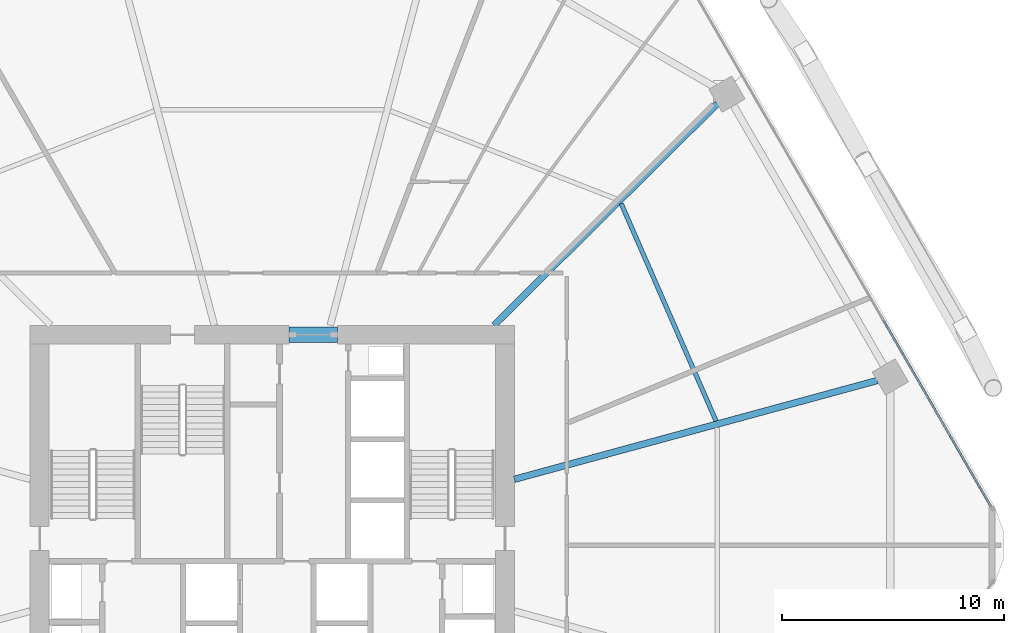
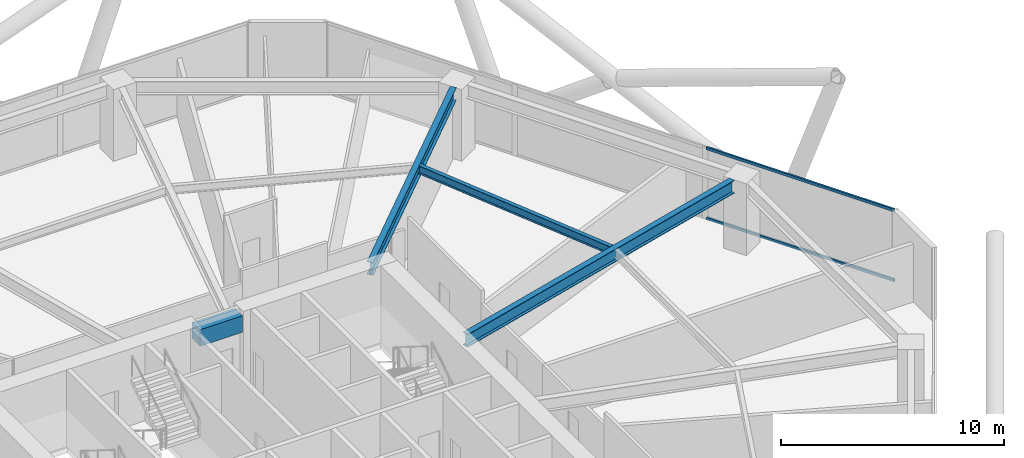
# One storey, part 18 of 28: 4 beams, 2 members, 1 element without a shape of its own.
"""IFC4 building model written with IfcOpenShell, lengths in metres."""

from ifc_helpers import new_model, si_unit, direction, frame, origin, origin_2d, place, context, subcontext, project, spatial, rectangle, hollow_rectangle, i_section, extrude, material, material_profile, profile_set, type_object, element, aggregate, save


model = new_model("IFC4")

# Units and contexts
model_context = context("Model", 3, precision=1e-05, world=origin(), true_north=direction((0.0, 1.0)))
body_context = subcontext(model_context, "Body", "Model", "MODEL_VIEW")
ifc_project = project(units=[si_unit("LENGTHUNIT", "METRE"), si_unit("AREAUNIT", "SQUARE_METRE"), si_unit("VOLUMEUNIT", "CUBIC_METRE"), si_unit("PLANEANGLEUNIT", "RADIAN"), si_unit("MASSUNIT", "GRAM", prefix="KILO")], contexts=[model_context])

# Site, building, storey
site_placement = place(None, origin())
site = spatial("IfcSite", under=ifc_project, at=site_placement, CompositionType="ELEMENT")
building_placement = place(site_placement, origin())
building = spatial("IfcBuilding", under=site, at=building_placement, Name="Zuhravey Tower", CompositionType="ELEMENT")
storey_placement = place(building_placement, frame((0.0, 0.0, 66.60009765625)))
storey = spatial("IfcBuildingStorey", under=building, at=storey_placement, Name="L16", CompositionType="ELEMENT", Elevation=66.60009765625)

# Beam
ifc_material_1 = material(Name="Concrete C60/75", Category="concrete")
ifc_material_profile_1 = material_profile(ifc_material_1, rectangle(XDim=0.699951171875, YDim=0.89990234375, at=origin_2d()), Name="RC-700x900")
ifc_profile_set_1 = profile_set([ifc_material_profile_1], Name="Concrete C60/75")
beam_type_1 = type_object("IfcBeamType", Name="Core Coupling Beam RC700x900", PredefinedType="LINTEL", material=ifc_profile_set_1)
beam_1_placement = place(storey_placement, frame((36.751953125, 41.5, 3.469970703125), z_axis=(1.0, 0.0, 0.0), x_axis=(0.0, 1.0, 0.0)))
element("IfcBeam", 1, at=beam_1_placement, inside=storey, type_object=beam_type_1, Name="L16 CB1 BM-L16-CB-N", PredefinedType="LINTEL", context=body_context, shape_type="SweptSolid", body=[
    extrude(rectangle(XDim=0.699951171875, YDim=0.89990234375, at=origin_2d()), origin(), (0.0, 0.0, 1.0), 2.196044921875),
])

# Curtain wall, members
ifc_material_2 = material(Name="Thermally broken anodised aluminium", Category="aluminium")
curtain_wall_type = type_object("IfcCurtainWallType", Name="School Low-E Unitised Curtain Wall CW1", PredefinedType="NOTDEFINED", material=ifc_material_2)
curtain_wall_placement = place(storey_placement, origin())
curtain_wall = element("IfcCurtainWall", 2, at=curtain_wall_placement, inside=storey, type_object=curtain_wall_type, Name="L16 CW1 CW-L16-F1-1", PredefinedType="NOTDEFINED")
ifc_material_3 = material(Name="Anodised aluminium", Category="aluminium")
ifc_material_profile_2 = material_profile(ifc_material_3, hollow_rectangle(XDim=0.090087890625, YDim=0.14990234375, WallThickness=0.0048828125, at=origin_2d()), Name="ALU-RHS-90x150x5")
ifc_profile_set_2 = profile_set([ifc_material_profile_2], Name="Anodised aluminium")
member_type = type_object("IfcMemberType", Name="Curtain-Wall Transom 90x150", PredefinedType="USERDEFINED", material=ifc_profile_set_2)
member_1_placement = place(storey_placement, frame((63.56787109375, 42.16796875, 0.044921875), z_axis=(0.500008393077, -0.866020557985, 0.0), x_axis=(0.866020557985, 0.500008393077, 0.0)))
member_1 = element("IfcMember", 3, at=member_1_placement, type_object=member_type, Name="CW1 transom 3.1", ObjectType="TRANSOM", PredefinedType="USERDEFINED", context=body_context, shape_type="SweptSolid", body=[
    extrude(hollow_rectangle(XDim=0.090087890625, YDim=0.14990234375, WallThickness=0.0048828125, at=origin_2d()), origin(), (0.0, 0.0, 1.0), 9.731201171875),
])
member_2_placement = place(storey_placement, frame((63.56787109375, 42.16796875, 3.875), z_axis=(0.500008393077, -0.866020557985, 0.0), x_axis=(0.866020557985, 0.500008393077, 0.0)))
member_2 = element("IfcMember", 4, at=member_2_placement, type_object=member_type, Name="CW1 transom 3.2", ObjectType="TRANSOM", PredefinedType="USERDEFINED", context=body_context, shape_type="SweptSolid", body=[
    extrude(hollow_rectangle(XDim=0.090087890625, YDim=0.14990234375, WallThickness=0.0048828125, at=origin_2d()), origin(), (0.0, 0.0, 1.0), 9.731201171875),
])
aggregate(curtain_wall, [member_1, member_2])

# Beams
ifc_material_4 = material(Name="Steel SM355", Category="steel")
ifc_material_profile_3 = material_profile(ifc_material_4, i_section(OverallWidth=0.300048828125, OverallDepth=0.699951171875, WebThickness=0.012939453125, FlangeThickness=0.02392578125, at=origin_2d()), Name="H-700x300x13x24")
ifc_profile_set_3 = profile_set([ifc_material_profile_3], Name="Steel SM355")
beam_type_2 = type_object("IfcBeamType", Name="Radial Primary Girder H700x300", PredefinedType="BEAM", material=ifc_profile_set_3)
beam_2_placement = place(storey_placement, frame((46.927978515625, 34.974609375, 3.56982421875), z_axis=(0.964892480455, 0.26264520015, 0.0), x_axis=(-0.26264520015, 0.964892480455, 0.0)))
element("IfcBeam", 5, at=beam_2_placement, inside=storey, type_object=beam_type_2, Name="L16 RG1 BM-L16-RAD-01", PredefinedType="BEAM", context=body_context, shape_type="SweptSolid", body=[
    extrude(i_section(OverallWidth=0.300048828125, OverallDepth=0.699951171875, WebThickness=0.012939453125, FlangeThickness=0.02392578125, at=origin_2d()), origin(), (0.0, 0.0, 1.0), 16.975341796875),
])
beam_3_placement = place(storey_placement, frame((46.007080078125, 41.927978515625, 3.56982421875), z_axis=(0.709902823282, 0.704299639, 0.0), x_axis=(-0.704299639, 0.709902823282, 0.0)))
element("IfcBeam", 6, at=beam_3_placement, inside=storey, type_object=beam_type_2, Name="L16 RG1 BM-L16-RAD-02", PredefinedType="BEAM", context=body_context, shape_type="SweptSolid", body=[
    extrude(i_section(OverallWidth=0.300048828125, OverallDepth=0.699951171875, WebThickness=0.012939453125, FlangeThickness=0.02392578125, at=origin_2d()), origin(), (0.0, 0.0, 1.0), 14.204345703125),
])
ifc_material_profile_4 = material_profile(ifc_material_4, i_section(OverallWidth=0.199951171875, OverallDepth=0.449951171875, WebThickness=0.009033203125, FlangeThickness=0.013916015625, at=origin_2d()), Name="H-450x200x9x14")
ifc_profile_set_4 = profile_set([ifc_material_profile_4], Name="Steel SM355")
beam_type_3 = type_object("IfcBeamType", Name="Secondary Floor Joist H450x200", PredefinedType="JOIST", material=ifc_profile_set_4)
beam_4_placement = place(storey_placement, frame((56.025390625, 37.60888671875, 3.69482421875), z_axis=(-0.399923551578, 0.916548500022, 0.0), x_axis=(-0.916548500022, -0.399923551578, 0.0)))
element("IfcBeam", 7, at=beam_4_placement, inside=storey, type_object=beam_type_3, Name="L16 SJ1 BM-L16-SJ-01-1", PredefinedType="JOIST", context=body_context, shape_type="SweptSolid", body=[
    extrude(i_section(OverallWidth=0.199951171875, OverallDepth=0.449951171875, WebThickness=0.009033203125, FlangeThickness=0.013916015625, at=origin_2d()), origin(), (0.0, 0.0, 1.0), 10.70263671875),
])

save(model, "model.ifc")
